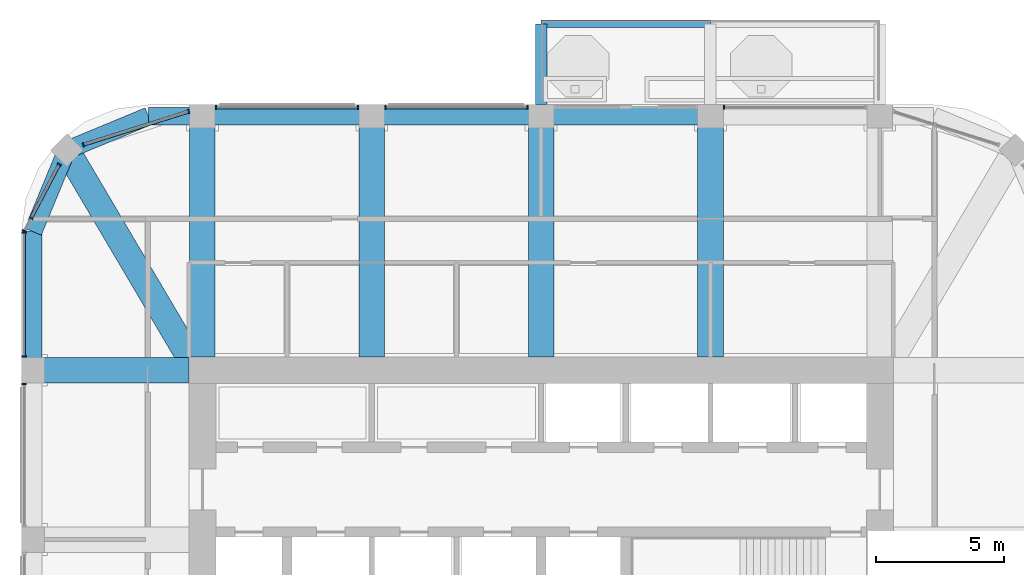
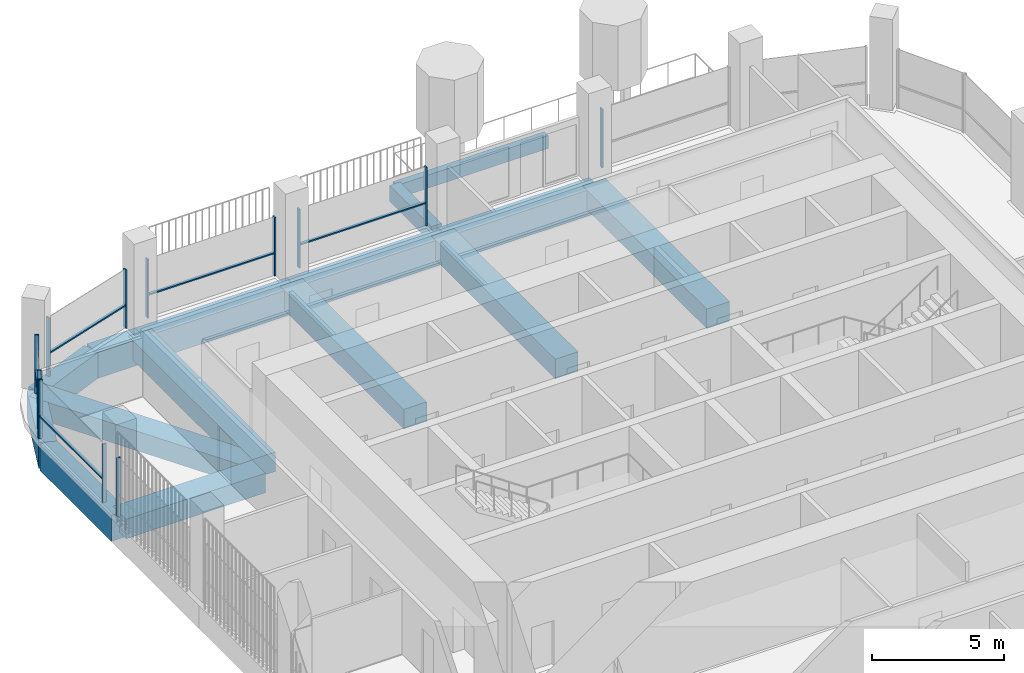
# One storey, part 6 of 21: 18 members, 15 beams, 7 elements without a shape of their own.
"""IFC4 building model written with IfcOpenShell, lengths in metres."""

from ifc_helpers import new_model, si_unit, direction, frame, origin, origin_2d, place, context, subcontext, project, spatial, rectangle, extrude, material, material_profile, profile_set, type_object, element, aggregate, save


model = new_model("IFC4")

# Units and contexts
model_context = context("Model", 3, precision=1e-05, world=origin(), true_north=direction((0.0, 1.0)))
body_context = subcontext(model_context, "Body", "Model", "MODEL_VIEW")
ifc_project = project(units=[si_unit("LENGTHUNIT", "METRE"), si_unit("AREAUNIT", "SQUARE_METRE"), si_unit("VOLUMEUNIT", "CUBIC_METRE"), si_unit("PLANEANGLEUNIT", "RADIAN"), si_unit("MASSUNIT", "GRAM", prefix="KILO")], contexts=[model_context])

# Site, building, storey
site_placement = place(None, origin())
site = spatial("IfcSite", under=ifc_project, at=site_placement, CompositionType="ELEMENT")
building_placement = place(site_placement, origin())
building = spatial("IfcBuilding", under=site, at=building_placement, Name="Cobogo Forest Laboratory Tower", CompositionType="ELEMENT")
storey_placement = place(building_placement, frame((0.0, 0.0, 258.60009765625)))
storey = spatial("IfcBuildingStorey", under=building, at=storey_placement, Name="L59", CompositionType="ELEMENT", Elevation=258.60009765625)

# Beams
ifc_material_1 = material(Name="Concrete HA-40 (C40/50)", Category="concrete")
ifc_material_profile_1 = material_profile(ifc_material_1, rectangle(XDim=0.449951171875, YDim=0.75, at=origin_2d()), Name="RC 450x750")
ifc_profile_set_1 = profile_set([ifc_material_profile_1], Name="Concrete HA-40 (C40/50)")
beam_type_1 = type_object("IfcBeamType", Name="Balcony cantilever beam 450x750", PredefinedType="BEAM", material=ifc_profile_set_1)
beam_1_placement = place(storey_placement, frame((26.39990234375, 43.35009765625, -0.625), z_axis=(0.0, 1.0, 0.0), x_axis=(-1.0, 0.0, 0.0)))
element("IfcBeam", 1, at=beam_1_placement, inside=storey, type_object=beam_type_1, Name="CB1 BAL-N1-C1 L59", PredefinedType="BEAM", context=body_context, shape_type="SweptSolid", body=[
    extrude(rectangle(XDim=0.449951171875, YDim=0.75, at=origin_2d()), origin(), (0.0, 0.0, 1.0), 3.14990234375),
])
ifc_material_profile_2 = material_profile(ifc_material_1, rectangle(XDim=0.300048828125, YDim=0.60009765625, at=origin_2d()), Name="RC 300x600")
ifc_profile_set_2 = profile_set([ifc_material_profile_2], Name="Concrete HA-40 (C40/50)")
beam_type_2 = type_object("IfcBeamType", Name="Balcony edge beam 300x600", PredefinedType="BEAM", material=ifc_profile_set_2)
beam_2_placement = place(storey_placement, frame((26.39990234375, 46.5, -0.550048828125), z_axis=(1.0, 0.0, 0.0), x_axis=(0.0, 1.0, 0.0)))
element("IfcBeam", 2, at=beam_2_placement, inside=storey, type_object=beam_type_2, Name="BB1 BAL-N1-T1 L59", PredefinedType="BEAM", context=body_context, shape_type="SweptSolid", body=[
    extrude(rectangle(XDim=0.300048828125, YDim=0.60009765625, at=origin_2d()), origin(), (0.0, 0.0, 1.0), 6.60009765625),
])

# Curtain wall, member
ifc_material_2 = material(Name="Aluminium curtain wall", Category="aluminium")
curtain_wall_type = type_object("IfcCurtainWallType", Name="CW-2 unitised curtain wall, solar control glazing, laboratory floors zones C and D", PredefinedType="USERDEFINED", material=ifc_material_2)
curtain_wall_1_placement = place(storey_placement, origin())
curtain_wall_1 = element("IfcCurtainWall", 3, at=curtain_wall_1_placement, inside=storey, type_object=curtain_wall_type, Name="Curtain wall 14 L59", ObjectType="UNITISED CURTAIN WALL", PredefinedType="USERDEFINED")
ifc_material_3 = material(Name="Aluminium mullion", Category="aluminium")
ifc_material_profile_3 = material_profile(ifc_material_3, rectangle(XDim=0.06005859375, YDim=0.159912109375, at=origin_2d()), Name="AL 60x160")
ifc_profile_set_3 = profile_set([ifc_material_profile_3], Name="Aluminium mullion")
member_type_1 = type_object("IfcMemberType", Name="MU-1 aluminium mullion 60x160", PredefinedType="MULLION", material=ifc_profile_set_3)
member_1_placement = place(storey_placement, frame((33.530029296875, 43.25, 0.0), z_axis=(0.0, 0.0, 1.0), x_axis=(-1.0, 0.0, 0.0)))
member_1 = element("IfcMember", 4, at=member_1_placement, type_object=member_type_1, Name="CW-2 mullion 2", PredefinedType="MULLION", context=body_context, shape_type="SweptSolid", body=[
    extrude(rectangle(XDim=0.06005859375, YDim=0.159912109375, at=origin_2d()), origin(), (0.0, 0.0, 1.0), 2.699951171875),
])
aggregate(curtain_wall_1, [member_1])

# Curtain wall, members
curtain_wall_2_placement = place(storey_placement, origin())
curtain_wall_2 = element("IfcCurtainWall", 5, at=curtain_wall_2_placement, inside=storey, type_object=curtain_wall_type, Name="Curtain wall 16 L59", ObjectType="UNITISED CURTAIN WALL", PredefinedType="USERDEFINED")
member_2_placement = place(storey_placement, frame((25.8701171875, 43.25, 0.0), z_axis=(0.0, 0.0, 1.0), x_axis=(-1.0, 0.0, 0.0)))
member_2 = element("IfcMember", 6, at=member_2_placement, type_object=member_type_1, Name="CW-2 mullion 1", PredefinedType="MULLION", context=body_context, shape_type="SweptSolid", body=[
    extrude(rectangle(XDim=0.06005859375, YDim=0.159912109375, at=origin_2d()), origin(), (0.0, 0.0, 1.0), 2.699951171875),
])
member_3_placement = place(storey_placement, frame((20.330078125, 43.25, 0.0), z_axis=(0.0, 0.0, 1.0), x_axis=(-1.0, 0.0, 0.0)))
member_3 = element("IfcMember", 7, at=member_3_placement, type_object=member_type_1, Name="CW-2 mullion 2", PredefinedType="MULLION", context=body_context, shape_type="SweptSolid", body=[
    extrude(rectangle(XDim=0.06005859375, YDim=0.159912109375, at=origin_2d()), origin(), (0.0, 0.0, 1.0), 2.699951171875),
])

curtain_wall_3_placement = place(storey_placement, origin())
curtain_wall_3 = element("IfcCurtainWall", 8, at=curtain_wall_3_placement, inside=storey, type_object=curtain_wall_type, Name="Curtain wall 17 L59", ObjectType="UNITISED CURTAIN WALL", PredefinedType="USERDEFINED")
member_4_placement = place(storey_placement, frame((19.27001953125, 43.25, 0.0), z_axis=(0.0, 0.0, 1.0), x_axis=(-1.0, 0.0, 0.0)))
member_4 = element("IfcMember", 9, at=member_4_placement, type_object=member_type_1, Name="CW-2 mullion 1", PredefinedType="MULLION", context=body_context, shape_type="SweptSolid", body=[
    extrude(rectangle(XDim=0.06005859375, YDim=0.159912109375, at=origin_2d()), origin(), (0.0, 0.0, 1.0), 2.699951171875),
])
member_5_placement = place(storey_placement, frame((13.72998046875, 43.25, 0.0), z_axis=(0.0, 0.0, 1.0), x_axis=(-1.0, 0.0, 0.0)))
member_5 = element("IfcMember", 10, at=member_5_placement, type_object=member_type_1, Name="CW-2 mullion 2", PredefinedType="MULLION", context=body_context, shape_type="SweptSolid", body=[
    extrude(rectangle(XDim=0.06005859375, YDim=0.159912109375, at=origin_2d()), origin(), (0.0, 0.0, 1.0), 2.699951171875),
])

curtain_wall_4_placement = place(storey_placement, origin())
curtain_wall_4 = element("IfcCurtainWall", 11, at=curtain_wall_4_placement, inside=storey, type_object=curtain_wall_type, Name="Curtain wall 18 L59", ObjectType="UNITISED CURTAIN WALL", PredefinedType="USERDEFINED")
member_6_placement = place(storey_placement, frame((12.67138671875, 43.0830078125, 0.0), z_axis=(0.0, 0.0, 1.0), x_axis=(-0.953581379409, -0.301135439371, 0.0)))
member_6 = element("IfcMember", 12, at=member_6_placement, type_object=member_type_1, Name="CW-2 mullion 1", PredefinedType="MULLION", context=body_context, shape_type="SweptSolid", body=[
    extrude(rectangle(XDim=0.06005859375, YDim=0.159912109375, at=origin_2d()), origin(), (0.0, 0.0, 1.0), 2.699951171875),
])
member_7_placement = place(storey_placement, frame((8.570068359375, 41.787841796875, 0.0), z_axis=(0.0, 0.0, 1.0), x_axis=(-0.953581379409, -0.301135439371, 0.0)))
member_7 = element("IfcMember", 13, at=member_7_placement, type_object=member_type_1, Name="CW-2 mullion 2", PredefinedType="MULLION", context=body_context, shape_type="SweptSolid", body=[
    extrude(rectangle(XDim=0.06005859375, YDim=0.159912109375, at=origin_2d()), origin(), (0.0, 0.0, 1.0), 2.699951171875),
])

curtain_wall_5_placement = place(storey_placement, origin())
curtain_wall_5 = element("IfcCurtainWall", 14, at=curtain_wall_5_placement, inside=storey, type_object=curtain_wall_type, Name="Curtain wall 19 L59", ObjectType="UNITISED CURTAIN WALL", PredefinedType="USERDEFINED")
member_8_placement = place(storey_placement, frame((7.6220703125, 41.017333984375, 0.0), z_axis=(0.0, 0.0, 1.0), x_axis=(-0.464283778337, -0.885686498245, 0.0)))
member_8 = element("IfcMember", 15, at=member_8_placement, type_object=member_type_1, Name="CW-2 mullion 1", PredefinedType="MULLION", context=body_context, shape_type="SweptSolid", body=[
    extrude(rectangle(XDim=0.06005859375, YDim=0.159912109375, at=origin_2d()), origin(), (0.0, 0.0, 1.0), 2.699951171875),
])
member_9_placement = place(storey_placement, frame((6.531494140625, 38.937255859375, 0.0), z_axis=(0.0, 0.0, 1.0), x_axis=(-0.464283778337, -0.885686498245, 0.0)))
member_9 = element("IfcMember", 16, at=member_9_placement, type_object=member_type_1, Name="CW-2 mullion 2", PredefinedType="MULLION", context=body_context, shape_type="SweptSolid", body=[
    extrude(rectangle(XDim=0.06005859375, YDim=0.159912109375, at=origin_2d()), origin(), (0.0, 0.0, 1.0), 2.699951171875),
])
member_10_placement = place(storey_placement, frame((6.263916015625, 38.426513671875, 0.0), z_axis=(0.0, 0.0, 1.0), x_axis=(-0.464283778337, -0.885686498245, 0.0)))
member_10 = element("IfcMember", 17, at=member_10_placement, type_object=member_type_1, Name="CW-2 mullion 3", PredefinedType="MULLION", context=body_context, shape_type="SweptSolid", body=[
    extrude(rectangle(XDim=0.06005859375, YDim=0.159912109375, at=origin_2d()), origin(), (0.0, 0.0, 1.0), 2.699951171875),
])

curtain_wall_6_placement = place(storey_placement, origin())
curtain_wall_6 = element("IfcCurtainWall", 18, at=curtain_wall_6_placement, inside=storey, type_object=curtain_wall_type, Name="Curtain wall 20 L59", ObjectType="UNITISED CURTAIN WALL", PredefinedType="USERDEFINED")
member_11_placement = place(storey_placement, frame((6.25, 38.3701171875, 0.0), z_axis=(0.0, 0.0, 1.0), x_axis=(0.0, -1.0, 0.0)))
member_11 = element("IfcMember", 19, at=member_11_placement, type_object=member_type_1, Name="CW-2 mullion 1", PredefinedType="MULLION", context=body_context, shape_type="SweptSolid", body=[
    extrude(rectangle(XDim=0.06005859375, YDim=0.159912109375, at=origin_2d()), origin(), (0.0, 0.0, 1.0), 2.699951171875),
])
member_12_placement = place(storey_placement, frame((6.25, 33.530029296875, 0.0), z_axis=(0.0, 0.0, 1.0), x_axis=(0.0, -1.0, 0.0)))
member_12 = element("IfcMember", 20, at=member_12_placement, type_object=member_type_1, Name="CW-2 mullion 2", PredefinedType="MULLION", context=body_context, shape_type="SweptSolid", body=[
    extrude(rectangle(XDim=0.06005859375, YDim=0.159912109375, at=origin_2d()), origin(), (0.0, 0.0, 1.0), 2.699951171875),
])

# Curtain wall, member
curtain_wall_7_placement = place(storey_placement, origin())
curtain_wall_7 = element("IfcCurtainWall", 21, at=curtain_wall_7_placement, inside=storey, type_object=curtain_wall_type, Name="Curtain wall 21 L59", ObjectType="UNITISED CURTAIN WALL", PredefinedType="USERDEFINED")
member_13_placement = place(storey_placement, frame((6.25, 32.469970703125, 0.0), z_axis=(0.0, 0.0, 1.0), x_axis=(0.0, -1.0, 0.0)))
member_13 = element("IfcMember", 22, at=member_13_placement, type_object=member_type_1, Name="CW-2 mullion 1", PredefinedType="MULLION", context=body_context, shape_type="SweptSolid", body=[
    extrude(rectangle(XDim=0.06005859375, YDim=0.159912109375, at=origin_2d()), origin(), (0.0, 0.0, 1.0), 2.699951171875),
])
aggregate(curtain_wall_7, [member_13])

# Beams
ifc_material_profile_4 = material_profile(ifc_material_1, rectangle(XDim=1.0, YDim=0.89990234375, at=origin_2d()), Name="RC 1000x900")
ifc_profile_set_4 = profile_set([ifc_material_profile_4], Name="Concrete HA-40 (C40/50)")
beam_type_3 = type_object("IfcBeamType", Name="Office floor wide beam 1000x900", PredefinedType="BEAM", material=ifc_profile_set_4)
for number, where, z_axis, x_axis, name in (
    (23, (13.199951171875, 33.52490234375, -0.75), (0.0, 1.0, 0.0), (-1.0, 0.0, 0.0), "RB2 R-3-N L59"),
    (24, (19.800048828125, 33.52490234375, -0.75), (0.0, 1.0, 0.0), (-1.0, 0.0, 0.0), "RB2 R-4-N L59"),
    (25, (26.39990234375, 33.52490234375, -0.75), (0.0, 1.0, 0.0), (-1.0, 0.0, 0.0), "RB2 R-5-N L59"),
    (26, (33.0, 33.52490234375, -0.75), (0.0, 1.0, 0.0), (-1.0, 0.0, 0.0), "RB2 R-6-N L59"),
):
    element("IfcBeam", number, at=place(storey_placement, frame(where, z_axis=z_axis, x_axis=x_axis)), inside=storey, type_object=beam_type_3, Name=name, PredefinedType="BEAM", context=body_context, shape_type="SweptSolid", body=[
        extrude(rectangle(XDim=1.0, YDim=0.89990234375, at=origin_2d()), origin(), (0.0, 0.0, 1.0), 9.375),
    ])
beam_3_placement = place(storey_placement, frame((12.675048828125, 33.0, -0.75), z_axis=(-1.0, 0.0, 0.0), x_axis=(0.0, -1.0, 0.0)))
element("IfcBeam", 27, at=beam_3_placement, inside=storey, type_object=beam_type_3, Name="RB2 R-F-W L59", PredefinedType="BEAM", context=body_context, shape_type="SweptSolid", body=[
    extrude(rectangle(XDim=1.0, YDim=0.89990234375, at=origin_2d()), origin(), (0.0, 0.0, 1.0), 6.074951171875),
])
beam_4_placement = place(storey_placement, frame((7.91796875, 41.58203125, -0.75), z_axis=(0.508416325908, -0.861111397875, 0.0), x_axis=(0.861111397875, 0.508416325908, 0.0)))
element("IfcBeam", 28, at=beam_4_placement, inside=storey, type_object=beam_type_3, Name="RB2 G-NW-D1 L59", PredefinedType="BEAM", context=body_context, shape_type="SweptSolid", body=[
    extrude(rectangle(XDim=1.0, YDim=0.89990234375, at=origin_2d()), origin(), (0.0, 0.0, 1.0), 9.356689453125),
])
ifc_material_profile_5 = material_profile(ifc_material_1, rectangle(XDim=0.699951171875, YDim=1.199951171875, at=origin_2d()), Name="RC 700x1200")
ifc_profile_set_5 = profile_set([ifc_material_profile_5], Name="Concrete HA-40 (C40/50)")
beam_type_4 = type_object("IfcBeamType", Name="Perimeter edge beam 700x1200", PredefinedType="BEAM", material=ifc_profile_set_5)
beam_5_placement = place(storey_placement, frame((13.199951171875, 42.89990234375, -0.900146484375), z_axis=(1.0, 0.0, 0.0), x_axis=(0.0, 1.0, 0.0)))
element("IfcBeam", 29, at=beam_5_placement, inside=storey, type_object=beam_type_4, Name="EB1 E-N1 L59", PredefinedType="BEAM", context=body_context, shape_type="SweptSolid", body=[
    extrude(rectangle(XDim=0.699951171875, YDim=1.199951171875, at=origin_2d()), origin(), (0.0, 0.0, 1.0), 6.60009765625),
])
beam_6_placement = place(storey_placement, frame((19.800048828125, 42.89990234375, -0.900146484375), z_axis=(1.0, 0.0, 0.0), x_axis=(0.0, 1.0, 0.0)))
element("IfcBeam", 30, at=beam_6_placement, inside=storey, type_object=beam_type_4, Name="EB1 E-N2 L59", PredefinedType="BEAM", context=body_context, shape_type="SweptSolid", body=[
    extrude(rectangle(XDim=0.699951171875, YDim=1.199951171875, at=origin_2d()), origin(), (0.0, 0.0, 1.0), 6.599853515625),
])
beam_7_placement = place(storey_placement, frame((26.39990234375, 42.89990234375, -0.900146484375), z_axis=(1.0, 0.0, 0.0), x_axis=(0.0, 1.0, 0.0)))
element("IfcBeam", 31, at=beam_7_placement, inside=storey, type_object=beam_type_4, Name="EB1 E-N3 L59", PredefinedType="BEAM", context=body_context, shape_type="SweptSolid", body=[
    extrude(rectangle(XDim=0.699951171875, YDim=1.199951171875, at=origin_2d()), origin(), (0.0, 0.0, 1.0), 6.60009765625),
])
beam_8_placement = place(storey_placement, frame((13.199951171875, 42.89990234375, -0.900146484375), z_axis=(-1.0, 0.0, 0.0), x_axis=(0.0, -1.0, 0.0)))
element("IfcBeam", 32, at=beam_8_placement, inside=storey, type_object=beam_type_4, Name="EB1 E-NWN1 L59", PredefinedType="BEAM", context=body_context, shape_type="SweptSolid", body=[
    extrude(rectangle(XDim=0.699951171875, YDim=1.199951171875, at=origin_2d()), origin(), (0.0, 0.0, 1.0), 2.099853515625),
])
beam_9_placement = place(storey_placement, frame((11.10009765625, 42.89990234375, -0.900146484375), z_axis=(-0.923901072997, -0.382631424892, 0.0), x_axis=(0.382631424892, -0.923901072997, 0.0)))
element("IfcBeam", 33, at=beam_9_placement, inside=storey, type_object=beam_type_4, Name="EB1 E-NWN2 L59", PredefinedType="BEAM", context=body_context, shape_type="SweptSolid", body=[
    extrude(rectangle(XDim=0.699951171875, YDim=1.199951171875, at=origin_2d()), origin(), (0.0, 0.0, 1.0), 3.4443359375),
])
beam_10_placement = place(storey_placement, frame((6.60009765625, 33.0, -0.900146484375), z_axis=(0.0, 1.0, 0.0), x_axis=(-1.0, 0.0, 0.0)))
element("IfcBeam", 34, at=beam_10_placement, inside=storey, type_object=beam_type_4, Name="EB1 E-NWW1 L59", PredefinedType="BEAM", context=body_context, shape_type="SweptSolid", body=[
    extrude(rectangle(XDim=0.699951171875, YDim=1.199951171875, at=origin_2d()), origin(), (0.0, 0.0, 1.0), 5.39990234375),
])
beam_11_placement = place(storey_placement, frame((6.60009765625, 38.39990234375, -0.900146484375), z_axis=(0.382631424892, 0.923901072997, 0.0), x_axis=(-0.923901072997, 0.382631424892, 0.0)))
element("IfcBeam", 35, at=beam_11_placement, inside=storey, type_object=beam_type_4, Name="EB1 E-NWW2 L59", PredefinedType="BEAM", context=body_context, shape_type="SweptSolid", body=[
    extrude(rectangle(XDim=0.699951171875, YDim=1.199951171875, at=origin_2d()), origin(), (0.0, 0.0, 1.0), 3.4443359375),
])

# Member
ifc_material_4 = material(Name="Aluminium transom", Category="aluminium")
ifc_material_profile_6 = material_profile(ifc_material_4, rectangle(XDim=0.1201171875, YDim=0.06005859375, at=origin_2d()), Name="AL 60x120")
ifc_profile_set_6 = profile_set([ifc_material_profile_6], Name="Aluminium transom")
member_type_2 = type_object("IfcMemberType", Name="TR-1 aluminium transom 60x120", PredefinedType="USERDEFINED", material=ifc_profile_set_6)
member_14_placement = place(storey_placement, frame((25.840087890625, 43.25, 1.0498046875), z_axis=(-1.0, 0.0, 0.0), x_axis=(0.0, -1.0, 0.0)))
member_14 = element("IfcMember", 36, at=member_14_placement, type_object=member_type_2, Name="CW-2 transom 1.1", ObjectType="TRANSOM", PredefinedType="USERDEFINED", context=body_context, shape_type="SweptSolid", body=[
    extrude(rectangle(XDim=0.1201171875, YDim=0.06005859375, at=origin_2d()), origin(), (0.0, 0.0, 1.0), 5.47998046875),
])

aggregate(curtain_wall_2, [member_2, member_3, member_14])

member_15_placement = place(storey_placement, frame((19.239990234375, 43.25, 1.0498046875), z_axis=(-1.0, 0.0, 0.0), x_axis=(0.0, -1.0, 0.0)))
member_15 = element("IfcMember", 37, at=member_15_placement, type_object=member_type_2, Name="CW-2 transom 1.1", ObjectType="TRANSOM", PredefinedType="USERDEFINED", context=body_context, shape_type="SweptSolid", body=[
    extrude(rectangle(XDim=0.1201171875, YDim=0.06005859375, at=origin_2d()), origin(), (0.0, 0.0, 1.0), 5.47998046875),
])

aggregate(curtain_wall_3, [member_4, member_5, member_15])

member_16_placement = place(storey_placement, frame((12.642822265625, 43.073974609375, 1.0498046875), z_axis=(-0.953583535148, -0.30112861288, 0.0), x_axis=(0.30112861288, -0.953583535148, 0.0)))
member_16 = element("IfcMember", 38, at=member_16_placement, type_object=member_type_2, Name="CW-2 transom 1.1", ObjectType="TRANSOM", PredefinedType="USERDEFINED", context=body_context, shape_type="SweptSolid", body=[
    extrude(rectangle(XDim=0.1201171875, YDim=0.06005859375, at=origin_2d()), origin(), (0.0, 0.0, 1.0), 4.240966796875),
])

aggregate(curtain_wall_4, [member_6, member_7, member_16])

member_17_placement = place(storey_placement, frame((7.608154296875, 40.99072265625, 1.0498046875), z_axis=(-0.464325829823, -0.885664453255, 0.0), x_axis=(0.885664453255, -0.464325829823, 0.0)))
member_17 = element("IfcMember", 39, at=member_17_placement, type_object=member_type_2, Name="CW-2 transom 1.1", ObjectType="TRANSOM", PredefinedType="USERDEFINED", context=body_context, shape_type="SweptSolid", body=[
    extrude(rectangle(XDim=0.1201171875, YDim=0.06005859375, at=origin_2d()), origin(), (0.0, 0.0, 1.0), 2.288818359375),
])

aggregate(curtain_wall_5, [member_8, member_9, member_10, member_17])

member_18_placement = place(storey_placement, frame((6.25, 38.340087890625, 1.0498046875), z_axis=(0.0, -1.0, 0.0), x_axis=(1.0, 0.0, 0.0)))
member_18 = element("IfcMember", 40, at=member_18_placement, type_object=member_type_2, Name="CW-2 transom 1.1", ObjectType="TRANSOM", PredefinedType="USERDEFINED", context=body_context, shape_type="SweptSolid", body=[
    extrude(rectangle(XDim=0.1201171875, YDim=0.06005859375, at=origin_2d()), origin(), (0.0, 0.0, 1.0), 4.780029296875),
])

aggregate(curtain_wall_6, [member_11, member_12, member_18])

save(model, "model.ifc")
